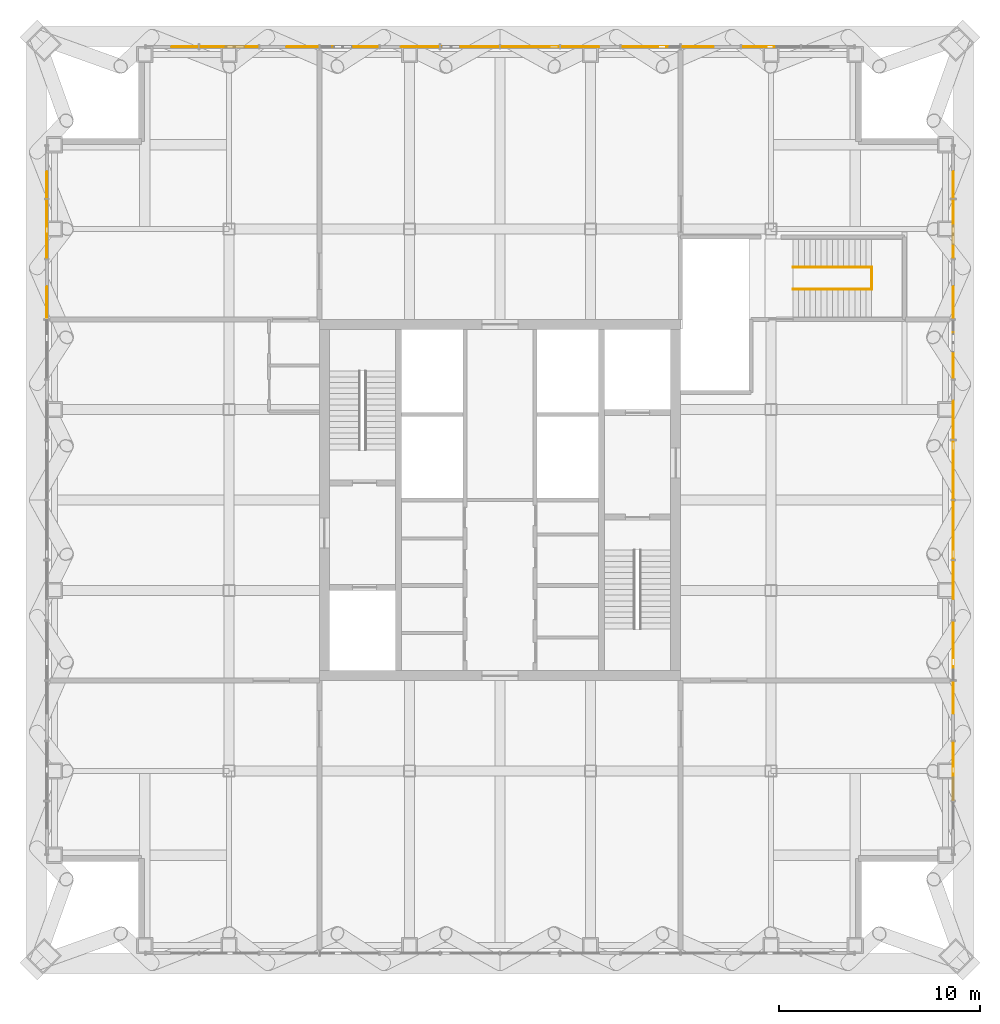
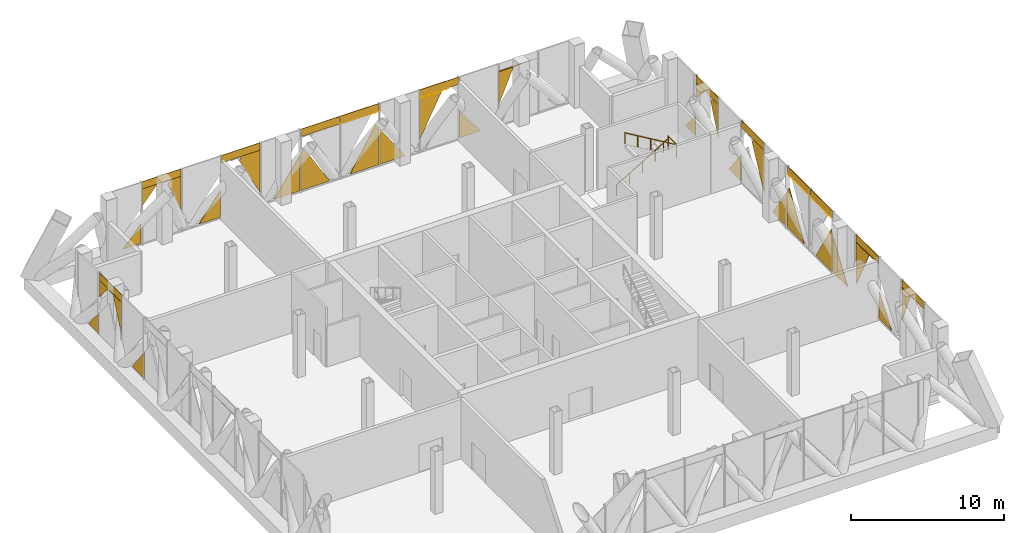
# One storey, part 18 of 27: 48 coverings, 3 railings.
"""IFC4 building model written with IfcOpenShell, lengths in metres."""

from ifc_helpers import new_model, si_unit, direction, frame, origin, origin_2d, place, context, subcontext, project, spatial, polyline, circle, outline, extrude, material, layer, layer_set, type_object, element, save


model = new_model("IFC4")

# Units and contexts
model_context = context("Model", 3, precision=1e-05, world=origin(), true_north=direction((0.0, 1.0)))
body_context = subcontext(model_context, "Body", "Model", "MODEL_VIEW")
ifc_project = project(units=[si_unit("LENGTHUNIT", "METRE"), si_unit("AREAUNIT", "SQUARE_METRE"), si_unit("VOLUMEUNIT", "CUBIC_METRE"), si_unit("PLANEANGLEUNIT", "RADIAN"), si_unit("MASSUNIT", "GRAM", prefix="KILO")], contexts=[model_context])

# Site, building, storey
site_placement = place(None, origin())
site = spatial("IfcSite", under=ifc_project, at=site_placement, CompositionType="ELEMENT")
building_placement = place(site_placement, origin())
building = spatial("IfcBuilding", under=site, at=building_placement, Name="Malebo Sky Hospital", CompositionType="ELEMENT")
storey_placement = place(building_placement, frame((0.0, 0.0, 245.0)))
storey = spatial("IfcBuildingStorey", under=building, at=storey_placement, Name="L59", CompositionType="ELEMENT", Elevation=245.0)

# Coverings
ifc_material_1 = material(Name="Anodised aluminium, natural silver insulated infill panel", Category="aluminium")
ifc_layer = layer(ifc_material_1, 0.0400390625)
ifc_layer_set = layer_set([ifc_layer], Name="BRACE INFILL PANEL 40")
covering_type = type_object("IfcCoveringType", Name="BRACE INFILL PANEL 40", PredefinedType="CLADDING", material=ifc_layer_set)
covering_1_placement = place(storey_placement, frame((44.29541015625, 84.574951171875, 0.10009765625), z_axis=(0.0, 0.0, 1.0), x_axis=(1.0, 0.0, 0.0)))
element("IfcCovering", 1, at=covering_1_placement, inside=storey, type_object=covering_type, Name="Brace infill panel 1.1", PredefinedType="CLADDING", context=body_context, shape_type="SweptSolid", body=[
    extrude(outline(polyline([(-0.6669921875, 0.0), (0.6669921875, 0.0), (0.6669921875, 1.5869140625), (-0.6669921875, 0.0)])), frame((0.0, 0.02001953125, 0.0), z_axis=(0.0, -1.0, 0.0), x_axis=(1.0, 0.0, 0.0)), (0.0, 0.0, 1.0), 0.0400390625),
])
covering_2_placement = place(storey_placement, frame((47.46630859375, 84.574951171875, 1.75927734375), z_axis=(0.0, 0.0, 1.0), x_axis=(1.0, 0.0, 0.0)))
element("IfcCovering", 2, at=covering_2_placement, inside=storey, type_object=covering_type, Name="Brace infill panel 2.1", PredefinedType="CLADDING", context=body_context, shape_type="SweptSolid", body=[
    extrude(outline(polyline([(0.496337890625, 0.0), (0.496337890625, 2.654541015625), (-0.21142578125, 2.654541015625), (-0.49609375, 2.31591796875), (0.496337890625, 0.0)])), frame((0.0, 0.02001953125, 0.0), z_axis=(0.0, -1.0, 0.0), x_axis=(1.0, 0.0, 0.0)), (0.0, 0.0, 1.0), 0.0400390625),
])
covering_3_placement = place(storey_placement, frame((45.613037109375, 84.574951171875, 3.04443359375), z_axis=(0.0, 0.0, 1.0), x_axis=(1.0, 0.0, 0.0)))
element("IfcCovering", 3, at=covering_3_placement, inside=storey, type_object=covering_type, Name="Brace infill panel 2.2", PredefinedType="CLADDING", context=body_context, shape_type="SweptSolid", body=[
    extrude(outline(polyline([(-0.57568359375, 0.0), (0.57568359375, 1.369384765625), (-0.57568359375, 1.369384765625), (-0.57568359375, 0.0)])), frame((0.0, 0.02001953125, 0.0), z_axis=(0.0, -1.0, 0.0), x_axis=(1.0, 0.0, 0.0)), (0.0, 0.0, 1.0), 0.0400390625),
])
covering_4_placement = place(storey_placement, frame((46.5, 84.574951171875, 4.41357421875), z_axis=(0.0, 0.0, 1.0), x_axis=(1.0, 0.0, 0.0)))
element("IfcCovering", 4, at=covering_4_placement, inside=storey, type_object=covering_type, Name="Brace infill panel 2.3", PredefinedType="CLADDING", context=body_context, shape_type="SweptSolid", body=[
    extrude(outline(polyline([(-1.46240234375, 0.0), (1.46240234375, 0.0), (1.46240234375, 0.576416015625), (-1.46240234375, 0.576416015625), (-1.46240234375, 0.0)])), frame((0.0, 0.02001953125, 0.0), z_axis=(0.0, -1.0, 0.0), x_axis=(1.0, 0.0, 0.0)), (0.0, 0.0, 1.0), 0.0400390625),
])
covering_5_placement = place(storey_placement, frame((50.152587890625, 84.574951171875, 0.10009765625), z_axis=(0.0, 0.0, 1.0), x_axis=(1.0, 0.0, 0.0)))
element("IfcCovering", 5, at=covering_5_placement, inside=storey, type_object=covering_type, Name="Brace infill panel 3.1", PredefinedType="CLADDING", context=body_context, shape_type="SweptSolid", body=[
    extrude(outline(polyline([(-0.809814453125, 0.0), (0.809814453125, 0.0), (0.809814453125, 2.135986328125), (-0.809814453125, 0.0)])), frame((0.0, 0.02001953125, 0.0), z_axis=(0.0, -1.0, 0.0), x_axis=(1.0, 0.0, 0.0)), (0.0, 0.0, 1.0), 0.0400390625),
])
covering_6_placement = place(storey_placement, frame((53.17138671875, 84.574951171875, 1.01025390625), z_axis=(0.0, 0.0, 1.0), x_axis=(1.0, 0.0, 0.0)))
element("IfcCovering", 6, at=covering_6_placement, inside=storey, type_object=covering_type, Name="Brace infill panel 4.1", PredefinedType="CLADDING", context=body_context, shape_type="SweptSolid", body=[
    extrude(outline(polyline([(0.791015625, 0.0), (0.791015625, 3.3916015625), (-0.566650390625, 3.3916015625), (-0.791015625, 3.095703125), (0.791015625, 0.0)])), frame((0.0, 0.02001953125, 0.0), z_axis=(0.0, -1.0, 0.0), x_axis=(1.0, 0.0, 0.0)), (0.0, 0.0, 1.0), 0.0400390625),
])
covering_7_placement = place(storey_placement, frame((52.5, 84.574951171875, 4.40185546875), z_axis=(0.0, 0.0, 1.0), x_axis=(1.0, 0.0, 0.0)))
element("IfcCovering", 7, at=covering_7_placement, inside=storey, type_object=covering_type, Name="Brace infill panel 4.3", PredefinedType="CLADDING", context=body_context, shape_type="SweptSolid", body=[
    extrude(outline(polyline([(-1.46240234375, 0.0), (1.46240234375, 0.0), (1.46240234375, 0.588134765625), (-1.46240234375, 0.588134765625), (-1.46240234375, 0.0)])), frame((0.0, 0.02001953125, 0.0), z_axis=(0.0, -1.0, 0.0), x_axis=(1.0, 0.0, 0.0)), (0.0, 0.0, 1.0), 0.0400390625),
])
covering_8_placement = place(storey_placement, frame((56.01025390625, 84.574951171875, 0.10009765625), z_axis=(0.0, 0.0, 1.0), x_axis=(1.0, 0.0, 0.0)))
element("IfcCovering", 8, at=covering_8_placement, inside=storey, type_object=covering_type, Name="Brace infill panel 5.1", PredefinedType="CLADDING", context=body_context, shape_type="SweptSolid", body=[
    extrude(outline(polyline([(-0.9521484375, 0.0), (0.9521484375, 0.0), (0.9521484375, 2.81787109375), (-0.9521484375, 0.0)])), frame((0.0, 0.02001953125, 0.0), z_axis=(0.0, -1.0, 0.0), x_axis=(1.0, 0.0, 0.0)), (0.0, 0.0, 1.0), 0.0400390625),
])
covering_9_placement = place(storey_placement, frame((58.132080078125, 84.574951171875, 0.10009765625), z_axis=(0.0, 0.0, 1.0), x_axis=(1.0, 0.0, 0.0)))
element("IfcCovering", 9, at=covering_9_placement, inside=storey, type_object=covering_type, Name="Brace infill panel 6.1", PredefinedType="CLADDING", context=body_context, shape_type="SweptSolid", body=[
    extrude(outline(polyline([(-1.094482421875, 0.0), (1.094482421875, 0.0), (-0.8544921875, 3.2841796875), (-1.094482421875, 2.928955078125), (-1.094482421875, 0.0)])), frame((0.0, 0.02001953125, 0.0), z_axis=(0.0, -1.0, 0.0), x_axis=(1.0, 0.0, 0.0)), (0.0, 0.0, 1.0), 0.0400390625),
])
covering_10_placement = place(storey_placement, frame((58.5, 84.574951171875, 4.38916015625), z_axis=(0.0, 0.0, 1.0), x_axis=(1.0, 0.0, 0.0)))
element("IfcCovering", 10, at=covering_10_placement, inside=storey, type_object=covering_type, Name="Brace infill panel 6.2", PredefinedType="CLADDING", context=body_context, shape_type="SweptSolid", body=[
    extrude(outline(polyline([(-1.46240234375, 0.0), (1.46240234375, 0.0), (1.46240234375, 0.600830078125), (-1.46240234375, 0.600830078125), (-1.46240234375, 0.0)])), frame((0.0, 0.02001953125, 0.0), z_axis=(0.0, -1.0, 0.0), x_axis=(1.0, 0.0, 0.0)), (0.0, 0.0, 1.0), 0.0400390625),
])
covering_11_placement = place(storey_placement, frame((61.867919921875, 84.574951171875, 0.10009765625), z_axis=(0.0, 0.0, 1.0), x_axis=(1.0, 0.0, 0.0)))
element("IfcCovering", 11, at=covering_11_placement, inside=storey, type_object=covering_type, Name="Brace infill panel 7.1", PredefinedType="CLADDING", context=body_context, shape_type="SweptSolid", body=[
    extrude(outline(polyline([(-1.094482421875, 0.0), (1.094482421875, 0.0), (1.094482421875, 2.928955078125), (0.8544921875, 3.2841796875), (-1.094482421875, 0.0)])), frame((0.0, 0.02001953125, 0.0), z_axis=(0.0, -1.0, 0.0), x_axis=(1.0, 0.0, 0.0)), (0.0, 0.0, 1.0), 0.0400390625),
])
covering_12_placement = place(storey_placement, frame((61.5, 84.574951171875, 4.38916015625), z_axis=(0.0, 0.0, 1.0), x_axis=(1.0, 0.0, 0.0)))
element("IfcCovering", 12, at=covering_12_placement, inside=storey, type_object=covering_type, Name="Brace infill panel 7.2", PredefinedType="CLADDING", context=body_context, shape_type="SweptSolid", body=[
    extrude(outline(polyline([(-1.46240234375, 0.0), (1.46240234375, 0.0), (1.46240234375, 0.600830078125), (-1.46240234375, 0.600830078125), (-1.46240234375, 0.0)])), frame((0.0, 0.02001953125, 0.0), z_axis=(0.0, -1.0, 0.0), x_axis=(1.0, 0.0, 0.0)), (0.0, 0.0, 1.0), 0.0400390625),
])
covering_13_placement = place(storey_placement, frame((61.4609375, 84.574951171875, 4.375), z_axis=(0.0, 0.0, 1.0), x_axis=(1.0, 0.0, 0.0)))
element("IfcCovering", 13, at=covering_13_placement, inside=storey, type_object=covering_type, Name="Brace infill panel 7.4", PredefinedType="CLADDING", context=body_context, shape_type="SweptSolid", body=[
    extrude(outline(polyline([(-1.423583984375, 0.0), (1.396484375, 0.0), (1.423583984375, 0.013916015625), (-1.423583984375, 0.013916015625), (-1.423583984375, 0.0)])), frame((0.0, 0.02001953125, 0.0), z_axis=(0.0, -1.0, 0.0), x_axis=(1.0, 0.0, 0.0)), (0.0, 0.0, 1.0), 0.0400390625),
])
covering_14_placement = place(storey_placement, frame((63.98974609375, 84.574951171875, 0.10009765625), z_axis=(0.0, 0.0, 1.0), x_axis=(1.0, 0.0, 0.0)))
element("IfcCovering", 14, at=covering_14_placement, inside=storey, type_object=covering_type, Name="Brace infill panel 8.1", PredefinedType="CLADDING", context=body_context, shape_type="SweptSolid", body=[
    extrude(outline(polyline([(-0.9521484375, 0.0), (0.9521484375, 0.0), (-0.9521484375, 2.81787109375), (-0.9521484375, 0.0)])), frame((0.0, 0.02001953125, 0.0), z_axis=(0.0, -1.0, 0.0), x_axis=(1.0, 0.0, 0.0)), (0.0, 0.0, 1.0), 0.0400390625),
])
covering_15_placement = place(storey_placement, frame((66.8935546875, 84.574951171875, 1.01025390625), z_axis=(0.0, 0.0, 1.0), x_axis=(1.0, 0.0, 0.0)))
element("IfcCovering", 15, at=covering_15_placement, inside=storey, type_object=covering_type, Name="Brace infill panel 9.1", PredefinedType="CLADDING", context=body_context, shape_type="SweptSolid", body=[
    extrude(outline(polyline([(-0.85595703125, 0.0), (0.85595703125, 3.349853515625), (-0.85595703125, 3.349853515625), (-0.85595703125, 0.0)])), frame((0.0, 0.02001953125, 0.0), z_axis=(0.0, -1.0, 0.0), x_axis=(1.0, 0.0, 0.0)), (0.0, 0.0, 1.0), 0.0400390625),
])
covering_16_placement = place(storey_placement, frame((67.5, 84.574951171875, 4.40185546875), z_axis=(0.0, 0.0, 1.0), x_axis=(1.0, 0.0, 0.0)))
element("IfcCovering", 16, at=covering_16_placement, inside=storey, type_object=covering_type, Name="Brace infill panel 9.3", PredefinedType="CLADDING", context=body_context, shape_type="SweptSolid", body=[
    extrude(outline(polyline([(-1.46240234375, 0.0), (1.46240234375, 0.0), (1.46240234375, 0.588134765625), (-1.46240234375, 0.588134765625), (-1.46240234375, 0.0)])), frame((0.0, 0.02001953125, 0.0), z_axis=(0.0, -1.0, 0.0), x_axis=(1.0, 0.0, 0.0)), (0.0, 0.0, 1.0), 0.0400390625),
])
covering_17_placement = place(storey_placement, frame((67.16162109375, 84.574951171875, 4.3603515625), z_axis=(0.0, 0.0, 1.0), x_axis=(1.0, 0.0, 0.0)))
element("IfcCovering", 17, at=covering_17_placement, inside=storey, type_object=covering_type, Name="Brace infill panel 9.5", PredefinedType="CLADDING", context=body_context, shape_type="SweptSolid", body=[
    extrude(outline(polyline([(-1.124267578125, 0.0), (1.051513671875, 0.0), (1.1240234375, 0.041748046875), (-1.124267578125, 0.041748046875), (-1.124267578125, 0.0)])), frame((0.0, 0.02001953125, 0.0), z_axis=(0.0, -1.0, 0.0), x_axis=(1.0, 0.0, 0.0)), (0.0, 0.0, 1.0), 0.0400390625),
])
covering_18_placement = place(storey_placement, frame((69.847412109375, 84.574951171875, 0.10009765625), z_axis=(0.0, 0.0, 1.0), x_axis=(1.0, 0.0, 0.0)))
element("IfcCovering", 18, at=covering_18_placement, inside=storey, type_object=covering_type, Name="Brace infill panel 10.1", PredefinedType="CLADDING", context=body_context, shape_type="SweptSolid", body=[
    extrude(outline(polyline([(-0.809814453125, 0.0), (0.809814453125, 0.0), (-0.809814453125, 2.135986328125), (-0.809814453125, 0.0)])), frame((0.0, 0.02001953125, 0.0), z_axis=(0.0, -1.0, 0.0), x_axis=(1.0, 0.0, 0.0)), (0.0, 0.0, 1.0), 0.0400390625),
])
covering_19_placement = place(storey_placement, frame((72.591552734375, 84.574951171875, 1.759033203125), z_axis=(0.0, 0.0, 1.0), x_axis=(1.0, 0.0, 0.0)))
element("IfcCovering", 19, at=covering_19_placement, inside=storey, type_object=covering_type, Name="Brace infill panel 11.1", PredefinedType="CLADDING", context=body_context, shape_type="SweptSolid", body=[
    extrude(outline(polyline([(-0.553955078125, 0.0), (0.553955078125, 2.58544921875), (-0.553955078125, 2.58544921875), (-0.553955078125, 0.0)])), frame((0.0, 0.02001953125, 0.0), z_axis=(0.0, -1.0, 0.0), x_axis=(1.0, 0.0, 0.0)), (0.0, 0.0, 1.0), 0.0400390625),
])
covering_20_placement = place(storey_placement, frame((72.861083984375, 84.574951171875, 4.3447265625), z_axis=(0.0, 0.0, 1.0), x_axis=(1.0, 0.0, 0.0)))
element("IfcCovering", 20, at=covering_20_placement, inside=storey, type_object=covering_type, Name="Brace infill panel 11.5", PredefinedType="CLADDING", context=body_context, shape_type="SweptSolid", body=[
    extrude(outline(polyline([(-0.823486328125, 0.0), (0.714599609375, 0.0), (0.823486328125, 0.069091796875), (-0.823486328125, 0.069091796875), (-0.823486328125, 0.0)])), frame((0.0, 0.02001953125, 0.0), z_axis=(0.0, -1.0, 0.0), x_axis=(1.0, 0.0, 0.0)), (0.0, 0.0, 1.0), 0.0400390625),
])
covering_21_placement = place(storey_placement, frame((37.425048828125, 71.847412109375, 0.10009765625), z_axis=(0.0, 0.0, 1.0), x_axis=(0.0, 1.0, 0.0)))
element("IfcCovering", 21, at=covering_21_placement, inside=storey, type_object=covering_type, Name="Brace infill panel 10.1", PredefinedType="CLADDING", context=body_context, shape_type="SweptSolid", body=[
    extrude(outline(polyline([(-0.809814453125, 0.0), (0.809814453125, 0.0), (-0.809814453125, 2.135986328125), (-0.809814453125, 0.0)])), frame((0.0, 0.02001953125, 0.0), z_axis=(0.0, -1.0, 0.0), x_axis=(1.0, 0.0, 0.0)), (0.0, 0.0, 1.0), 0.0400390625),
])
covering_22_placement = place(storey_placement, frame((37.425048828125, 74.591552734375, 1.759033203125), z_axis=(0.0, 0.0, 1.0), x_axis=(0.0, 1.0, 0.0)))
element("IfcCovering", 22, at=covering_22_placement, inside=storey, type_object=covering_type, Name="Brace infill panel 11.1", PredefinedType="CLADDING", context=body_context, shape_type="SweptSolid", body=[
    extrude(outline(polyline([(-0.553955078125, 0.0), (0.553955078125, 2.58544921875), (-0.553955078125, 2.58544921875), (-0.553955078125, 0.0)])), frame((0.0, 0.02001953125, 0.0), z_axis=(0.0, -1.0, 0.0), x_axis=(1.0, 0.0, 0.0)), (0.0, 0.0, 1.0), 0.0400390625),
])
covering_23_placement = place(storey_placement, frame((37.425048828125, 76.386962890625, 3.04443359375), z_axis=(0.0, 0.0, 1.0), x_axis=(0.0, 1.0, 0.0)))
element("IfcCovering", 23, at=covering_23_placement, inside=storey, type_object=covering_type, Name="Brace infill panel 11.2", PredefinedType="CLADDING", context=body_context, shape_type="SweptSolid", body=[
    extrude(outline(polyline([(0.57568359375, 0.0), (0.57568359375, 1.369384765625), (-0.57568359375, 1.369384765625), (0.57568359375, 0.0)])), frame((0.0, 0.02001953125, 0.0), z_axis=(0.0, -1.0, 0.0), x_axis=(1.0, 0.0, 0.0)), (0.0, 0.0, 1.0), 0.0400390625),
])
covering_24_placement = place(storey_placement, frame((37.425048828125, 75.5, 4.41357421875), z_axis=(0.0, 0.0, 1.0), x_axis=(0.0, 1.0, 0.0)))
element("IfcCovering", 24, at=covering_24_placement, inside=storey, type_object=covering_type, Name="Brace infill panel 11.3", PredefinedType="CLADDING", context=body_context, shape_type="SweptSolid", body=[
    extrude(outline(polyline([(-1.46240234375, 0.0), (1.46240234375, 0.0), (1.46240234375, 0.576416015625), (-1.46240234375, 0.576416015625), (-1.46240234375, 0.0)])), frame((0.0, 0.02001953125, 0.0), z_axis=(0.0, -1.0, 0.0), x_axis=(1.0, 0.0, 0.0)), (0.0, 0.0, 1.0), 0.0400390625),
])
covering_25_placement = place(storey_placement, frame((37.425048828125, 74.861083984375, 4.3447265625), z_axis=(0.0, 0.0, 1.0), x_axis=(0.0, 1.0, 0.0)))
element("IfcCovering", 25, at=covering_25_placement, inside=storey, type_object=covering_type, Name="Brace infill panel 11.5", PredefinedType="CLADDING", context=body_context, shape_type="SweptSolid", body=[
    extrude(outline(polyline([(-0.823486328125, 0.0), (0.714599609375, 0.0), (0.823486328125, 0.069091796875), (-0.823486328125, 0.069091796875), (-0.823486328125, 0.0)])), frame((0.0, 0.02001953125, 0.0), z_axis=(0.0, -1.0, 0.0), x_axis=(1.0, 0.0, 0.0)), (0.0, 0.0, 1.0), 0.0400390625),
])
covering_26_placement = place(storey_placement, frame((37.425048828125, 77.70458984375, 0.10009765625), z_axis=(0.0, 0.0, 1.0), x_axis=(0.0, 1.0, 0.0)))
element("IfcCovering", 26, at=covering_26_placement, inside=storey, type_object=covering_type, Name="Brace infill panel 12.1", PredefinedType="CLADDING", context=body_context, shape_type="SweptSolid", body=[
    extrude(outline(polyline([(-0.6669921875, 0.0), (0.6669921875, 0.0), (-0.6669921875, 1.5869140625), (-0.6669921875, 0.0)])), frame((0.0, 0.02001953125, 0.0), z_axis=(0.0, -1.0, 0.0), x_axis=(1.0, 0.0, 0.0)), (0.0, 0.0, 1.0), 0.0400390625),
])
covering_27_placement = place(storey_placement, frame((82.574951171875, 77.70458984375, 0.10009765625), z_axis=(0.0, 0.0, 1.0), x_axis=(0.0, -1.0, 0.0)))
element("IfcCovering", 27, at=covering_27_placement, inside=storey, type_object=covering_type, Name="Brace infill panel 1.1", PredefinedType="CLADDING", context=body_context, shape_type="SweptSolid", body=[
    extrude(outline(polyline([(-0.6669921875, 0.0), (0.6669921875, 0.0), (0.6669921875, 1.5869140625), (-0.6669921875, 0.0)])), frame((0.0, 0.02001953125, 0.0), z_axis=(0.0, -1.0, 0.0), x_axis=(1.0, 0.0, 0.0)), (0.0, 0.0, 1.0), 0.0400390625),
])
covering_28_placement = place(storey_placement, frame((82.574951171875, 74.53369140625, 1.75927734375), z_axis=(0.0, 0.0, 1.0), x_axis=(0.0, -1.0, 0.0)))
element("IfcCovering", 28, at=covering_28_placement, inside=storey, type_object=covering_type, Name="Brace infill panel 2.1", PredefinedType="CLADDING", context=body_context, shape_type="SweptSolid", body=[
    extrude(outline(polyline([(0.496337890625, 0.0), (0.496337890625, 2.654541015625), (-0.21142578125, 2.654541015625), (-0.49609375, 2.31591796875), (0.496337890625, 0.0)])), frame((0.0, 0.02001953125, 0.0), z_axis=(0.0, -1.0, 0.0), x_axis=(1.0, 0.0, 0.0)), (0.0, 0.0, 1.0), 0.0400390625),
])
covering_29_placement = place(storey_placement, frame((82.574951171875, 76.386962890625, 3.04443359375), z_axis=(0.0, 0.0, 1.0), x_axis=(0.0, -1.0, 0.0)))
element("IfcCovering", 29, at=covering_29_placement, inside=storey, type_object=covering_type, Name="Brace infill panel 2.2", PredefinedType="CLADDING", context=body_context, shape_type="SweptSolid", body=[
    extrude(outline(polyline([(-0.57568359375, 0.0), (0.57568359375, 1.369384765625), (-0.57568359375, 1.369384765625), (-0.57568359375, 0.0)])), frame((0.0, 0.02001953125, 0.0), z_axis=(0.0, -1.0, 0.0), x_axis=(1.0, 0.0, 0.0)), (0.0, 0.0, 1.0), 0.0400390625),
])
covering_30_placement = place(storey_placement, frame((82.574951171875, 75.5, 4.41357421875), z_axis=(0.0, 0.0, 1.0), x_axis=(0.0, -1.0, 0.0)))
element("IfcCovering", 30, at=covering_30_placement, inside=storey, type_object=covering_type, Name="Brace infill panel 2.3", PredefinedType="CLADDING", context=body_context, shape_type="SweptSolid", body=[
    extrude(outline(polyline([(-1.46240234375, 0.0), (1.46240234375, 0.0), (1.46240234375, 0.576416015625), (-1.46240234375, 0.576416015625), (-1.46240234375, 0.0)])), frame((0.0, 0.02001953125, 0.0), z_axis=(0.0, -1.0, 0.0), x_axis=(1.0, 0.0, 0.0)), (0.0, 0.0, 1.0), 0.0400390625),
])
covering_31_placement = place(storey_placement, frame((82.574951171875, 71.847412109375, 0.10009765625), z_axis=(0.0, 0.0, 1.0), x_axis=(0.0, -1.0, 0.0)))
element("IfcCovering", 31, at=covering_31_placement, inside=storey, type_object=covering_type, Name="Brace infill panel 3.1", PredefinedType="CLADDING", context=body_context, shape_type="SweptSolid", body=[
    extrude(outline(polyline([(-0.809814453125, 0.0), (0.809814453125, 0.0), (0.809814453125, 2.135986328125), (-0.809814453125, 0.0)])), frame((0.0, 0.02001953125, 0.0), z_axis=(0.0, -1.0, 0.0), x_axis=(1.0, 0.0, 0.0)), (0.0, 0.0, 1.0), 0.0400390625),
])
covering_32_placement = place(storey_placement, frame((82.574951171875, 68.82861328125, 1.01025390625), z_axis=(0.0, 0.0, 1.0), x_axis=(0.0, -1.0, 0.0)))
element("IfcCovering", 32, at=covering_32_placement, inside=storey, type_object=covering_type, Name="Brace infill panel 4.1", PredefinedType="CLADDING", context=body_context, shape_type="SweptSolid", body=[
    extrude(outline(polyline([(0.791015625, 0.0), (0.791015625, 3.3916015625), (-0.566650390625, 3.3916015625), (-0.791015625, 3.095703125), (0.791015625, 0.0)])), frame((0.0, 0.02001953125, 0.0), z_axis=(0.0, -1.0, 0.0), x_axis=(1.0, 0.0, 0.0)), (0.0, 0.0, 1.0), 0.0400390625),
])
covering_33_placement = place(storey_placement, frame((82.574951171875, 69.5, 4.40185546875), z_axis=(0.0, 0.0, 1.0), x_axis=(0.0, -1.0, 0.0)))
element("IfcCovering", 33, at=covering_33_placement, inside=storey, type_object=covering_type, Name="Brace infill panel 4.3", PredefinedType="CLADDING", context=body_context, shape_type="SweptSolid", body=[
    extrude(outline(polyline([(-1.46240234375, 0.0), (1.46240234375, 0.0), (1.46240234375, 0.588134765625), (-1.46240234375, 0.588134765625), (-1.46240234375, 0.0)])), frame((0.0, 0.02001953125, 0.0), z_axis=(0.0, -1.0, 0.0), x_axis=(1.0, 0.0, 0.0)), (0.0, 0.0, 1.0), 0.0400390625),
])
covering_34_placement = place(storey_placement, frame((82.574951171875, 65.98974609375, 0.10009765625), z_axis=(0.0, 0.0, 1.0), x_axis=(0.0, -1.0, 0.0)))
element("IfcCovering", 34, at=covering_34_placement, inside=storey, type_object=covering_type, Name="Brace infill panel 5.1", PredefinedType="CLADDING", context=body_context, shape_type="SweptSolid", body=[
    extrude(outline(polyline([(-0.9521484375, 0.0), (0.9521484375, 0.0), (0.9521484375, 2.81787109375), (-0.9521484375, 0.0)])), frame((0.0, 0.02001953125, 0.0), z_axis=(0.0, -1.0, 0.0), x_axis=(1.0, 0.0, 0.0)), (0.0, 0.0, 1.0), 0.0400390625),
])
covering_35_placement = place(storey_placement, frame((82.574951171875, 63.867919921875, 0.10009765625), z_axis=(0.0, 0.0, 1.0), x_axis=(0.0, -1.0, 0.0)))
element("IfcCovering", 35, at=covering_35_placement, inside=storey, type_object=covering_type, Name="Brace infill panel 6.1", PredefinedType="CLADDING", context=body_context, shape_type="SweptSolid", body=[
    extrude(outline(polyline([(-1.094482421875, 0.0), (1.094482421875, 0.0), (-0.8544921875, 3.2841796875), (-1.094482421875, 2.928955078125), (-1.094482421875, 0.0)])), frame((0.0, 0.02001953125, 0.0), z_axis=(0.0, -1.0, 0.0), x_axis=(1.0, 0.0, 0.0)), (0.0, 0.0, 1.0), 0.0400390625),
])
covering_36_placement = place(storey_placement, frame((82.574951171875, 63.5, 4.38916015625), z_axis=(0.0, 0.0, 1.0), x_axis=(0.0, -1.0, 0.0)))
element("IfcCovering", 36, at=covering_36_placement, inside=storey, type_object=covering_type, Name="Brace infill panel 6.2", PredefinedType="CLADDING", context=body_context, shape_type="SweptSolid", body=[
    extrude(outline(polyline([(-1.46240234375, 0.0), (1.46240234375, 0.0), (1.46240234375, 0.600830078125), (-1.46240234375, 0.600830078125), (-1.46240234375, 0.0)])), frame((0.0, 0.02001953125, 0.0), z_axis=(0.0, -1.0, 0.0), x_axis=(1.0, 0.0, 0.0)), (0.0, 0.0, 1.0), 0.0400390625),
])
covering_37_placement = place(storey_placement, frame((82.574951171875, 63.4609375, 4.375), z_axis=(0.0, 0.0, 1.0), x_axis=(0.0, -1.0, 0.0)))
element("IfcCovering", 37, at=covering_37_placement, inside=storey, type_object=covering_type, Name="Brace infill panel 6.4", PredefinedType="CLADDING", context=body_context, shape_type="SweptSolid", body=[
    extrude(outline(polyline([(-1.396484375, 0.0), (1.423583984375, 0.0), (1.423583984375, 0.013916015625), (-1.423583984375, 0.013916015625), (-1.396484375, 0.0)])), frame((0.0, 0.02001953125, 0.0), z_axis=(0.0, -1.0, 0.0), x_axis=(1.0, 0.0, 0.0)), (0.0, 0.0, 1.0), 0.0400390625),
])
covering_38_placement = place(storey_placement, frame((82.574951171875, 60.132080078125, 0.10009765625), z_axis=(0.0, 0.0, 1.0), x_axis=(0.0, -1.0, 0.0)))
element("IfcCovering", 38, at=covering_38_placement, inside=storey, type_object=covering_type, Name="Brace infill panel 7.1", PredefinedType="CLADDING", context=body_context, shape_type="SweptSolid", body=[
    extrude(outline(polyline([(-1.094482421875, 0.0), (1.094482421875, 0.0), (1.094482421875, 2.928955078125), (0.8544921875, 3.2841796875), (-1.094482421875, 0.0)])), frame((0.0, 0.02001953125, 0.0), z_axis=(0.0, -1.0, 0.0), x_axis=(1.0, 0.0, 0.0)), (0.0, 0.0, 1.0), 0.0400390625),
])
covering_39_placement = place(storey_placement, frame((82.574951171875, 60.5, 4.38916015625), z_axis=(0.0, 0.0, 1.0), x_axis=(0.0, -1.0, 0.0)))
element("IfcCovering", 39, at=covering_39_placement, inside=storey, type_object=covering_type, Name="Brace infill panel 7.2", PredefinedType="CLADDING", context=body_context, shape_type="SweptSolid", body=[
    extrude(outline(polyline([(-1.46240234375, 0.0), (1.46240234375, 0.0), (1.46240234375, 0.600830078125), (-1.46240234375, 0.600830078125), (-1.46240234375, 0.0)])), frame((0.0, 0.02001953125, 0.0), z_axis=(0.0, -1.0, 0.0), x_axis=(1.0, 0.0, 0.0)), (0.0, 0.0, 1.0), 0.0400390625),
])
covering_40_placement = place(storey_placement, frame((82.574951171875, 60.5390625, 4.375), z_axis=(0.0, 0.0, 1.0), x_axis=(0.0, -1.0, 0.0)))
element("IfcCovering", 40, at=covering_40_placement, inside=storey, type_object=covering_type, Name="Brace infill panel 7.4", PredefinedType="CLADDING", context=body_context, shape_type="SweptSolid", body=[
    extrude(outline(polyline([(-1.423583984375, 0.0), (1.396484375, 0.0), (1.423583984375, 0.013916015625), (-1.423583984375, 0.013916015625), (-1.423583984375, 0.0)])), frame((0.0, 0.02001953125, 0.0), z_axis=(0.0, -1.0, 0.0), x_axis=(1.0, 0.0, 0.0)), (0.0, 0.0, 1.0), 0.0400390625),
])
covering_41_placement = place(storey_placement, frame((82.574951171875, 58.01025390625, 0.10009765625), z_axis=(0.0, 0.0, 1.0), x_axis=(0.0, -1.0, 0.0)))
element("IfcCovering", 41, at=covering_41_placement, inside=storey, type_object=covering_type, Name="Brace infill panel 8.1", PredefinedType="CLADDING", context=body_context, shape_type="SweptSolid", body=[
    extrude(outline(polyline([(-0.9521484375, 0.0), (0.9521484375, 0.0), (-0.9521484375, 2.81787109375), (-0.9521484375, 0.0)])), frame((0.0, 0.02001953125, 0.0), z_axis=(0.0, -1.0, 0.0), x_axis=(1.0, 0.0, 0.0)), (0.0, 0.0, 1.0), 0.0400390625),
])
covering_42_placement = place(storey_placement, frame((82.574951171875, 55.1064453125, 1.01025390625), z_axis=(0.0, 0.0, 1.0), x_axis=(0.0, -1.0, 0.0)))
element("IfcCovering", 42, at=covering_42_placement, inside=storey, type_object=covering_type, Name="Brace infill panel 9.1", PredefinedType="CLADDING", context=body_context, shape_type="SweptSolid", body=[
    extrude(outline(polyline([(-0.85595703125, 0.0), (0.85595703125, 3.349853515625), (-0.85595703125, 3.349853515625), (-0.85595703125, 0.0)])), frame((0.0, 0.02001953125, 0.0), z_axis=(0.0, -1.0, 0.0), x_axis=(1.0, 0.0, 0.0)), (0.0, 0.0, 1.0), 0.0400390625),
])
covering_43_placement = place(storey_placement, frame((82.574951171875, 54.5, 4.40185546875), z_axis=(0.0, 0.0, 1.0), x_axis=(0.0, -1.0, 0.0)))
element("IfcCovering", 43, at=covering_43_placement, inside=storey, type_object=covering_type, Name="Brace infill panel 9.3", PredefinedType="CLADDING", context=body_context, shape_type="SweptSolid", body=[
    extrude(outline(polyline([(-1.46240234375, 0.0), (1.46240234375, 0.0), (1.46240234375, 0.588134765625), (-1.46240234375, 0.588134765625), (-1.46240234375, 0.0)])), frame((0.0, 0.02001953125, 0.0), z_axis=(0.0, -1.0, 0.0), x_axis=(1.0, 0.0, 0.0)), (0.0, 0.0, 1.0), 0.0400390625),
])
covering_44_placement = place(storey_placement, frame((82.574951171875, 54.83837890625, 4.3603515625), z_axis=(0.0, 0.0, 1.0), x_axis=(0.0, -1.0, 0.0)))
element("IfcCovering", 44, at=covering_44_placement, inside=storey, type_object=covering_type, Name="Brace infill panel 9.5", PredefinedType="CLADDING", context=body_context, shape_type="SweptSolid", body=[
    extrude(outline(polyline([(-1.124267578125, 0.0), (1.051513671875, 0.0), (1.1240234375, 0.041748046875), (-1.124267578125, 0.041748046875), (-1.124267578125, 0.0)])), frame((0.0, 0.02001953125, 0.0), z_axis=(0.0, -1.0, 0.0), x_axis=(1.0, 0.0, 0.0)), (0.0, 0.0, 1.0), 0.0400390625),
])
covering_45_placement = place(storey_placement, frame((82.574951171875, 52.152587890625, 0.10009765625), z_axis=(0.0, 0.0, 1.0), x_axis=(0.0, -1.0, 0.0)))
element("IfcCovering", 45, at=covering_45_placement, inside=storey, type_object=covering_type, Name="Brace infill panel 10.1", PredefinedType="CLADDING", context=body_context, shape_type="SweptSolid", body=[
    extrude(outline(polyline([(-0.809814453125, 0.0), (0.809814453125, 0.0), (-0.809814453125, 2.135986328125), (-0.809814453125, 0.0)])), frame((0.0, 0.02001953125, 0.0), z_axis=(0.0, -1.0, 0.0), x_axis=(1.0, 0.0, 0.0)), (0.0, 0.0, 1.0), 0.0400390625),
])
covering_46_placement = place(storey_placement, frame((82.574951171875, 49.408447265625, 1.759033203125), z_axis=(0.0, 0.0, 1.0), x_axis=(0.0, -1.0, 0.0)))
element("IfcCovering", 46, at=covering_46_placement, inside=storey, type_object=covering_type, Name="Brace infill panel 11.1", PredefinedType="CLADDING", context=body_context, shape_type="SweptSolid", body=[
    extrude(outline(polyline([(-0.553955078125, 0.0), (0.553955078125, 2.58544921875), (-0.553955078125, 2.58544921875), (-0.553955078125, 0.0)])), frame((0.0, 0.02001953125, 0.0), z_axis=(0.0, -1.0, 0.0), x_axis=(1.0, 0.0, 0.0)), (0.0, 0.0, 1.0), 0.0400390625),
])
covering_47_placement = place(storey_placement, frame((82.574951171875, 48.5, 4.41357421875), z_axis=(0.0, 0.0, 1.0), x_axis=(0.0, -1.0, 0.0)))
element("IfcCovering", 47, at=covering_47_placement, inside=storey, type_object=covering_type, Name="Brace infill panel 11.3", PredefinedType="CLADDING", context=body_context, shape_type="SweptSolid", body=[
    extrude(outline(polyline([(-1.46240234375, 0.0), (1.46240234375, 0.0), (1.46240234375, 0.576416015625), (-1.46240234375, 0.576416015625), (-1.46240234375, 0.0)])), frame((0.0, 0.02001953125, 0.0), z_axis=(0.0, -1.0, 0.0), x_axis=(1.0, 0.0, 0.0)), (0.0, 0.0, 1.0), 0.0400390625),
])
covering_48_placement = place(storey_placement, frame((82.574951171875, 49.138916015625, 4.3447265625), z_axis=(0.0, 0.0, 1.0), x_axis=(0.0, -1.0, 0.0)))
element("IfcCovering", 48, at=covering_48_placement, inside=storey, type_object=covering_type, Name="Brace infill panel 11.5", PredefinedType="CLADDING", context=body_context, shape_type="SweptSolid", body=[
    extrude(outline(polyline([(-0.823486328125, 0.0), (0.714599609375, 0.0), (0.823486328125, 0.069091796875), (-0.823486328125, 0.069091796875), (-0.823486328125, 0.0)])), frame((0.0, 0.02001953125, 0.0), z_axis=(0.0, -1.0, 0.0), x_axis=(1.0, 0.0, 0.0)), (0.0, 0.0, 1.0), 0.0400390625),
])

# Railings
ifc_material_2 = material(Name="Stainless steel balustrade", Category="steel")
railing_type_1 = type_object("IfcRailingType", Name="STAIR GUARD 1100", PredefinedType="GUARDRAIL", material=ifc_material_2)
railing_1_placement = place(storey_placement, frame((78.52001953125, 72.5, 2.5)))
element("IfcRailing", 49, at=railing_1_placement, inside=storey, type_object=railing_type_1, Name="Stair guard S3 mid landing", PredefinedType="GUARDRAIL", context=body_context, shape_type="SweptSolid", body=[
    extrude(circle(Radius=0.02392578125, at=origin_2d()), frame((0.0, 0.0, 1.076171875), z_axis=(0.0, 1.0, 0.0), x_axis=(-1.0, 0.0, 0.0)), (0.0, 0.0, 1.0), 1.10009765625),
    extrude(circle(Radius=0.02099609375, at=origin_2d()), origin(), (0.0, 0.0, 1.0), 1.052001953125),
    extrude(circle(Radius=0.02099609375, at=origin_2d()), frame((0.0, 1.10009765625, 0.0)), (0.0, 0.0, 1.0), 1.052001953125),
])
ifc_material_3 = material(Name="Stainless steel tube", Category="steel")
railing_type_2 = type_object("IfcRailingType", Name="STAIR HANDRAIL 900", PredefinedType="HANDRAIL", material=ifc_material_3)
railing_2_placement = place(storey_placement, frame((74.60009765625, 73.60009765625, 0.166748046875)))
element("IfcRailing", 50, at=railing_2_placement, inside=storey, type_object=railing_type_2, Name="Stair handrail S3 flight 1", PredefinedType="HANDRAIL", context=body_context, shape_type="SweptSolid", body=[
    extrude(circle(Radius=0.02392578125, at=origin_2d()), frame((0.0, 0.0, 0.8759765625), z_axis=(0.859296244711, 0.0, 0.511478214419), x_axis=(0.0, 1.0, 0.0)), (0.0, 0.0, 1.0), 4.561767578125),
    extrude(circle(Radius=0.02099609375, at=origin_2d()), origin(), (0.0, 0.0, 1.0), 0.851806640625),
    extrude(circle(Radius=0.02099609375, at=origin_2d()), frame((0.97998046875, 0.0, 0.583251953125)), (0.0, 0.0, 1.0), 0.851806640625),
    extrude(circle(Radius=0.02099609375, at=origin_2d()), frame((1.9599609375, 0.0, 1.16650390625)), (0.0, 0.0, 1.0), 0.851806640625),
    extrude(circle(Radius=0.02099609375, at=origin_2d()), frame((2.93994140625, 0.0, 1.75)), (0.0, 0.0, 1.0), 0.851806640625),
    extrude(circle(Radius=0.02099609375, at=origin_2d()), frame((3.919921875, 0.0, 2.333251953125)), (0.0, 0.0, 1.0), 0.851806640625),
])
railing_3_placement = place(storey_placement, frame((78.52001953125, 72.5, 2.666748046875)))
element("IfcRailing", 51, at=railing_3_placement, inside=storey, type_object=railing_type_2, Name="Stair handrail S3 flight 2", PredefinedType="HANDRAIL", context=body_context, shape_type="SweptSolid", body=[
    extrude(circle(Radius=0.02392578125, at=origin_2d()), frame((0.0, 0.0, 0.8759765625), z_axis=(-0.859296244711, 0.0, 0.511478214419), x_axis=(0.0, -1.0, 0.0)), (0.0, 0.0, 1.0), 4.561767578125),
    extrude(circle(Radius=0.02099609375, at=origin_2d()), origin(), (0.0, 0.0, 1.0), 0.851806640625),
    extrude(circle(Radius=0.02099609375, at=origin_2d()), frame((-0.97998046875, 0.0, 0.583251953125)), (0.0, 0.0, 1.0), 0.851806640625),
    extrude(circle(Radius=0.02099609375, at=origin_2d()), frame((-1.9599609375, 0.0, 1.16650390625)), (0.0, 0.0, 1.0), 0.851806640625),
    extrude(circle(Radius=0.02099609375, at=origin_2d()), frame((-2.93994140625, 0.0, 1.75)), (0.0, 0.0, 1.0), 0.851806640625),
    extrude(circle(Radius=0.02099609375, at=origin_2d()), frame((-3.919921875, 0.0, 2.333251953125)), (0.0, 0.0, 1.0), 0.851806640625),
])

save(model, "model.ifc")
